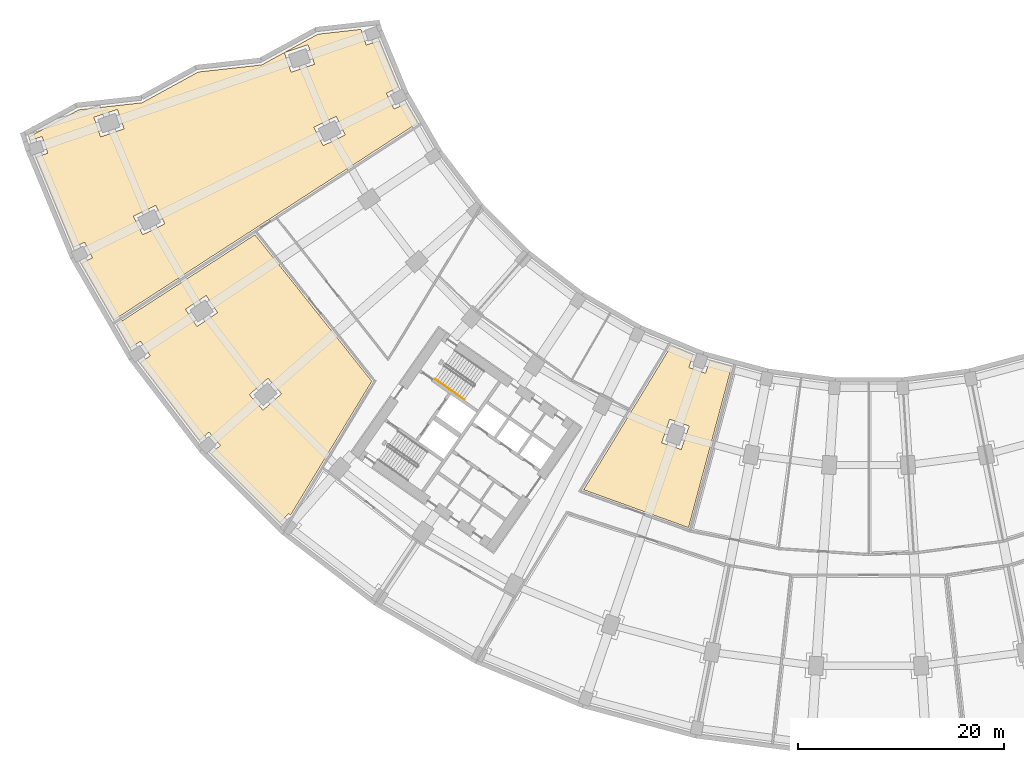
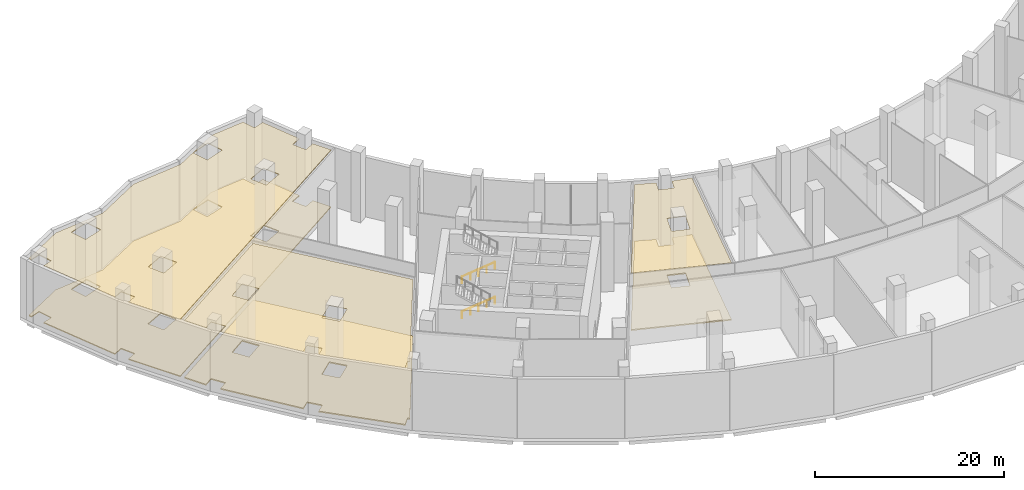
# One storey, part 15 of 19: 6 coverings, 2 railings.
"""IFC4 building model written with IfcOpenShell, lengths in metres."""

import ifcopenshell
import ifcopenshell.guid

model = None  # the IFC model being written
_history = None  # IfcOwnerHistory: only IFC2X3 demands one
_inside = {}  # id of a spatial element -> (the spatial element, [elements in it])
_under = {}  # id of a project, library or spatial element -> (it, [spatial elements below it])
_declared = {}  # id of a project -> (the project, [libraries it declares])
_typed = {}  # id of a type object -> (the type object, [elements of that type])
_made_of = {}  # id of a material, layer set ... -> (it, [elements and type objects made of it])


def new_model(schema):
    """Start an empty IFC model of exactly this schema.

    Asked for "IFC4X3", IfcOpenShell would pick the latest addendum, in which some entities
    have other attributes; the version numbers below select the first issue.
    IFC2X3 requires an IfcOwnerHistory on every rooted entity: one is made here for all.
    """
    global model, _history
    if schema == "IFC4X3":
        model = ifcopenshell.file(schema_version=(4, 3, 0, 0))
    else:
        model = ifcopenshell.file(schema=schema)
    _inside.clear()
    _under.clear()
    _declared.clear()
    _typed.clear()
    _made_of.clear()
    _history = None
    if model.schema == "IFC2X3":
        org = make("IfcOrganization", Name="unknown")
        user = make(
            "IfcPersonAndOrganization",
            ThePerson=make("IfcPerson", FamilyName="unknown"),
            TheOrganization=org,
        )
        app = make(
            "IfcApplication",
            ApplicationDeveloper=org,
            Version="unknown",
            ApplicationFullName="unknown",
            ApplicationIdentifier="unknown",
        )
        _history = make(
            "IfcOwnerHistory",
            OwningUser=user,
            OwningApplication=app,
            ChangeAction="ADDED",
            CreationDate=0,
        )
    return model


def make(cls, **values):
    """One entity of the class cls with the attributes given. An attribute that is None is left unset."""
    return model.create_entity(
        cls, **{name: value for name, value in values.items() if value is not None}
    )


def rooted(cls, **values):
    """An entity with a GlobalId (a new one), such as an element, a storey or a relation."""
    return make(cls, GlobalId=ifcopenshell.guid.new(), OwnerHistory=_history, **values)


def si_unit(unit_type, name, prefix=None):
    """IfcSIUnit, for example si_unit("LENGTHUNIT", "METRE", prefix="MILLI")."""
    return make("IfcSIUnit", UnitType=unit_type, Prefix=prefix, Name=name)


def assignment(units):
    """IfcUnitAssignment: the units of a project."""
    return None if units is None else make("IfcUnitAssignment", Units=units)


def point(xyz):
    """IfcCartesianPoint."""
    return None if xyz is None else make("IfcCartesianPoint", Coordinates=xyz)


def direction(xyz):
    """IfcDirection."""
    return None if xyz is None else make("IfcDirection", DirectionRatios=xyz)


def frame(location, z_axis=None, x_axis=None):
    """IfcAxis2Placement3D, a coordinate frame: its origin and axes. An axis left out is left unset."""
    return make(
        "IfcAxis2Placement3D",
        Location=point(location),
        Axis=direction(z_axis),
        RefDirection=direction(x_axis),
    )


def frame_2d(location, x_axis=None):
    """IfcAxis2Placement2D, a coordinate frame in the plane: its origin and x axis."""
    return make(
        "IfcAxis2Placement2D", Location=point(location), RefDirection=direction(x_axis)
    )


def origin():
    """The frame at (0, 0, 0) with its axes left unset."""
    return frame((0.0, 0.0, 0.0))


def origin_2d():
    """The frame at (0, 0) in the plane with its x axis left unset."""
    return frame_2d((0.0, 0.0))


def place(relative_to, where):
    """IfcLocalPlacement: puts the frame where relative to a parent placement (None: the world)."""
    return make(
        "IfcLocalPlacement", PlacementRelTo=relative_to, RelativePlacement=where
    )


def context(
    kind, dimensions, precision=None, world=None, true_north=None, identifier=None
):
    """IfcGeometricRepresentationContext, for example the 3D "Model" context."""
    return make(
        "IfcGeometricRepresentationContext",
        ContextIdentifier=identifier,
        ContextType=kind,
        CoordinateSpaceDimension=dimensions,
        Precision=precision,
        WorldCoordinateSystem=world,
        TrueNorth=true_north,
    )


def subcontext(parent, identifier, kind, view, scale=None):
    """IfcGeometricRepresentationSubContext, for example "Body" below "Model"."""
    return make(
        "IfcGeometricRepresentationSubContext",
        ContextIdentifier=identifier,
        ContextType=kind,
        ParentContext=parent,
        TargetScale=scale,
        TargetView=view,
    )


def project(units=None, contexts=None):
    """IfcProject with its units and contexts."""
    return rooted(
        "IfcProject",
        Name="project",
        RepresentationContexts=contexts,
        UnitsInContext=assignment(units),
    )


def spatial(cls, under=None, at=None, **own):
    """A site, building, storey or space (cls), placed at a placement, below another one or the project."""
    s = rooted(cls, ObjectPlacement=at, **own)
    if under is not None:
        _under.setdefault(under.id(), (under, []))[1].append(s)
    return s


def polyline(points):
    """IfcPolyline through the points."""
    return make("IfcPolyline", Points=[point(p) for p in points])


def profile(cls, at=None, kind="AREA", **sizes):
    """A parametric profile (cls). Its sizes go by their IFC names, for example OverallWidth=200.0."""
    return make(cls, ProfileType=kind, Position=at, **sizes)


def circle(**sizes):
    """IfcCircleProfileDef."""
    return profile("IfcCircleProfileDef", **sizes)


def outline(outer, holes=None, kind="AREA"):
    """IfcArbitraryClosedProfileDef: a profile drawn as a closed curve; with holes, ...WithVoids."""
    if holes is None:
        return make("IfcArbitraryClosedProfileDef", ProfileType=kind, OuterCurve=outer)
    return make(
        "IfcArbitraryProfileDefWithVoids",
        ProfileType=kind,
        OuterCurve=outer,
        InnerCurves=holes,
    )


def extrude(swept, where, along, depth):
    """IfcExtrudedAreaSolid: the profile swept, set in the frame where, extruded along a direction by depth."""
    return make(
        "IfcExtrudedAreaSolid",
        SweptArea=swept,
        Position=where,
        ExtrudedDirection=direction(along),
        Depth=depth,
    )


def shape(context_of_items, identifier, shape_type, items):
    """IfcShapeRepresentation: the items that make up one representation, for example the "Body"."""
    return make(
        "IfcShapeRepresentation",
        ContextOfItems=context_of_items,
        RepresentationIdentifier=identifier,
        RepresentationType=shape_type,
        Items=items,
    )


def material(Name=None, Category=None):
    """IfcMaterial."""
    return make("IfcMaterial", Name=Name, Category=Category)


def layer(
    of_material, thickness, ventilated=None, Name=None, Category=None, Priority=None
):
    """IfcMaterialLayer: one layer of a wall or slab, of a material (None: an air gap)."""
    return make(
        "IfcMaterialLayer",
        Material=of_material,
        LayerThickness=thickness,
        IsVentilated=ventilated,
        Name=Name,
        Category=Category,
        Priority=Priority,
    )


def layer_set(layers, Name=None):
    """IfcMaterialLayerSet."""
    return make("IfcMaterialLayerSet", MaterialLayers=layers, LayerSetName=Name)


def made_of(thing, what):
    """Note that an element or type object is made of a material, layer set ...; save() writes the relation."""
    if what is not None:
        _made_of.setdefault(what.id(), (what, []))[1].append(thing)
    return thing


def type_object(cls, material=None, **own):
    """A type object (cls), such as IfcWallType, which elements share."""
    return made_of(rooted(cls, **own), material)


def element(
    cls,
    number,
    at=None,
    inside=None,
    cuts=None,
    type_object=None,
    material=None,
    context=None,
    identifier="Body",
    shape_type=None,
    held_by="IfcProductDefinitionShape",
    body=None,
    shapes=None,
    **own,
):
    """One element of the class cls, such as IfcWall. Its Tag is "e" and its number.

    at: its placement. inside: the storey or other place that contains it. cuts: it is an
    opening in that element (IfcRelVoidsElement). A single representation is given by context,
    identifier, shape_type and body (its items); several are given by shapes. held_by: the class
    of the entity that holds the representations. save() writes the other relations.
    """
    e = rooted(cls, Tag="e%d" % number, ObjectPlacement=at, **own)
    if body is not None:
        shapes = [shape(context, identifier, shape_type, body)]
    if shapes is not None:
        e.Representation = make(held_by, Representations=shapes)
    if inside is not None:
        _inside.setdefault(inside.id(), (inside, []))[1].append(e)
    if cuts is not None:
        rooted(
            "IfcRelVoidsElement", RelatingBuildingElement=cuts, RelatedOpeningElement=e
        )
    if type_object is not None:
        _typed.setdefault(type_object.id(), (type_object, []))[1].append(e)
    return made_of(e, material)


def aggregate(whole, parts):
    """IfcRelAggregates: a whole, such as a stair, and the parts it consists of."""
    return rooted("IfcRelAggregates", RelatingObject=whole, RelatedObjects=parts)


def save(model, path):
    """Write the relations noted so far, then the file.

    IfcRelAggregates (storeys below a building ...), IfcRelContainedInSpatialStructure (elements
    in a storey), IfcRelDefinesByType, IfcRelAssociatesMaterial and IfcRelDeclares: one each for
    every whole, place, type object, material and project.
    """
    for whole, parts in _under.values():
        aggregate(whole, parts)
    for where, things in _inside.values():
        rooted(
            "IfcRelContainedInSpatialStructure",
            RelatedElements=things,
            RelatingStructure=where,
        )
    for kind, things in _typed.values():
        rooted("IfcRelDefinesByType", RelatedObjects=things, RelatingType=kind)
    for what, things in _made_of.values():
        rooted("IfcRelAssociatesMaterial", RelatedObjects=things, RelatingMaterial=what)
    for by, libraries in _declared.values():
        rooted("IfcRelDeclares", RelatingContext=by, RelatedDefinitions=libraries)
    model.write(path)


model = new_model("IFC4")

# Units and contexts
model_context = context("Model", 3, precision=1e-05, world=origin(), true_north=direction((0.0, 1.0)))
body_context = subcontext(model_context, "Body", "Model", "MODEL_VIEW")
ifc_project = project(units=[si_unit("LENGTHUNIT", "METRE"), si_unit("AREAUNIT", "SQUARE_METRE"), si_unit("VOLUMEUNIT", "CUBIC_METRE"), si_unit("PLANEANGLEUNIT", "RADIAN"), si_unit("MASSUNIT", "GRAM", prefix="KILO")], contexts=[model_context])

# Site, building, storey
site_placement = place(None, origin())
site = spatial("IfcSite", under=ifc_project, at=site_placement, CompositionType="ELEMENT")
building_placement = place(site_placement, origin())
building = spatial("IfcBuilding", under=site, at=building_placement, Name="Qamariyya Broadcast Tower", CompositionType="ELEMENT")
storey_placement = place(building_placement, frame((0.0, 0.0, 9.0)))
storey = spatial("IfcBuildingStorey", under=building, at=storey_placement, Name="L01", CompositionType="ELEMENT", Elevation=9.0)

# Coverings
ifc_material_1 = material(Name="Floating timber studio floor", Category="wood")
ifc_layer_1 = layer(ifc_material_1, 0.1201171875)
ifc_layer_set_1 = layer_set([ifc_layer_1], Name="Floating studio floor 120")
covering_type_1 = type_object("IfcCoveringType", Name="Floating studio floor 120", PredefinedType="FLOORING", material=ifc_layer_set_1)
covering_1_placement = place(storey_placement, origin())
element("IfcCovering", 1, at=covering_1_placement, inside=storey, type_object=covering_type_1, Name="Flooring L01-F11", PredefinedType="FLOORING", context=body_context, shape_type="SweptSolid", body=[
    extrude(outline(polyline([(-48.68310546875, -17.42333984375), (-47.447998046875, -17.004150390625), (-45.574462890625, -21.527099609375), (-46.744384765625, -22.10400390625), (-45.992431640625, -23.628662109375), (-44.82275390625, -23.0517578125), (-43.705810546875, -24.986328125), (-73.131591796875, -44.06298828125), (-76.30029296875, -38.574951171875), (-75.23046875, -38.04736328125), (-75.982421875, -36.522705078125), (-77.052001953125, -37.050048828125), (-80.682373046875, -28.28564453125), (-79.552978515625, -27.90234375), (-80.099365234375, -26.29248046875), (-81.274658203125, -26.69140625), (-81.388916015625, -26.34228515625), (-76.573486328125, -23.706787109375), (-70.420166015625, -23.019287109375), (-64.9716796875, -20.03759765625), (-58.81982421875, -19.3505859375), (-53.369140625, -16.368408203125), (-49.19921875, -15.90283203125), (-48.68310546875, -17.42333984375)]), holes=[polyline([(-53.761474609375, -25.397216796875), (-52.876708984375, -27.19091796875), (-50.724365234375, -26.12939453125), (-51.60888671875, -24.335693359375), (-53.761474609375, -25.397216796875)]), polyline([(-56.616455078125, -18.16259765625), (-55.9736328125, -20.056396484375), (-53.700927734375, -19.28515625), (-54.34375, -17.39111328125), (-56.616455078125, -18.16259765625)]), polyline([(-71.25048828125, -34.021728515625), (-70.36572265625, -35.815673828125), (-68.21337890625, -34.754150390625), (-69.097900390625, -32.960205078125), (-71.25048828125, -34.021728515625)]), polyline([(-72.808837890625, -23.6591796875), (-75.08154296875, -24.4306640625), (-74.438720703125, -26.324462890625), (-72.166015625, -25.55322265625), (-72.808837890625, -23.6591796875)])]), origin(), (0.0, 0.0, 1.0), 0.1201171875),
])
ifc_material_2 = material(Name="Raised access floor")
ifc_layer_2 = layer(ifc_material_2, 0.14990234375)
ifc_layer_set_2 = layer_set([ifc_layer_2], Name="Raised access floor 150")
covering_type_2 = type_object("IfcCoveringType", Name="Raised access floor 150", PredefinedType="FLOORING", material=ifc_layer_set_2)
covering_2_placement = place(storey_placement, origin())
element("IfcCovering", 2, at=covering_2_placement, inside=storey, type_object=covering_type_2, Name="Flooring L01-F05", PredefinedType="FLOORING", context=body_context, shape_type="SweptSolid", body=[
    extrude(outline(polyline([(-19.132080078125, -46.566650390625), (-17.004150390625, -47.447998046875), (-17.42333984375, -48.68310546875), (-15.8134765625, -49.2294921875), (-15.394287109375, -47.99462890625), (-13.271240234375, -48.5634765625), (-17.460205078125, -64.196044921875), (-27.6181640625, -60.521728515625), (-19.132080078125, -46.566650390625)]), holes=[polyline([(-20.056396484375, -55.9736328125), (-18.16259765625, -56.616455078125), (-17.39111328125, -54.34375), (-19.28515625, -53.700927734375), (-20.056396484375, -55.9736328125)])]), origin(), (0.0, 0.0, 1.0), 0.14990234375),
])
covering_3_placement = place(storey_placement, origin())
element("IfcCovering", 3, at=covering_3_placement, inside=storey, type_object=covering_type_2, Name="Flooring L01-F10", PredefinedType="FLOORING", context=body_context, shape_type="SweptSolid", body=[
    extrude(outline(polyline([(-56.031494140625, -62.986572265625), (-56.221923828125, -62.819580078125), (-57.00830078125, -63.716552734375), (-63.716552734375, -57.00830078125), (-62.819580078125, -56.221923828125), (-63.9404296875, -54.94384765625), (-64.83740234375, -55.730224609375), (-70.6123046875, -48.2041015625), (-69.62060546875, -47.541259765625), (-70.565185546875, -46.1279296875), (-71.556884765625, -46.79052734375), (-72.88134765625, -44.49658203125), (-59.47216796875, -35.803466796875), (-48.15087890625, -50.012939453125), (-56.031494140625, -62.986572265625)]), holes=[polyline([(-58.212646484375, -49.72119140625), (-60.01708984375, -51.303466796875), (-58.698486328125, -52.80712890625), (-56.89404296875, -51.224853515625), (-58.212646484375, -49.72119140625)]), polyline([(-66.2001953125, -43.03076171875), (-65.0888671875, -44.69384765625), (-63.093505859375, -43.3603515625), (-64.20458984375, -41.697509765625), (-66.2001953125, -43.03076171875)])]), origin(), (0.0, 0.0, 1.0), 0.14990234375),
])

# Railings
ifc_material_3 = material(Name="Stainless steel", Category="steel")
railing_type = type_object("IfcRailingType", Name="Stair handrail", PredefinedType="HANDRAIL", material=ifc_material_3)
for number, where, name in (
    (4, (-42.03564453125, -49.79443359375, 0.173095703125), "L01 ST-W2 stair handrail 1"),
    (5, (-42.03564453125, -49.79443359375, 4.673095703125), "L01 ST-W2 stair handrail 3"),
):
    element("IfcRailing", number, at=place(storey_placement, frame(where)), inside=storey, type_object=railing_type, Name=name, PredefinedType="HANDRAIL", context=body_context, shape_type="SweptSolid", body=[
        extrude(circle(Radius=0.02392578125, at=origin_2d()), frame((0.0, 0.0, 0.8759765625), z_axis=(0.703392637411, -0.492543525477, 0.512483827206), x_axis=(0.573594173421, 0.819139624372, 0.0)), (0.0, 0.0, 1.0), 4.052734375),
        extrude(circle(Radius=0.02099609375, at=origin_2d()), origin(), (0.0, 0.0, 1.0), 0.851806640625),
        extrude(circle(Radius=0.02099609375, at=origin_2d()), frame((0.712646484375, -0.4990234375, 0.519287109375)), (0.0, 0.0, 1.0), 0.851806640625),
        extrude(circle(Radius=0.02099609375, at=origin_2d()), frame((1.42529296875, -0.998046875, 1.03857421875)), (0.0, 0.0, 1.0), 0.851806640625),
        extrude(circle(Radius=0.02099609375, at=origin_2d()), frame((2.137939453125, -1.4970703125, 1.5576171875)), (0.0, 0.0, 1.0), 0.851806640625),
        extrude(circle(Radius=0.02099609375, at=origin_2d()), frame((2.8505859375, -1.99609375, 2.076904296875)), (0.0, 0.0, 1.0), 0.851806640625),
    ])

# Coverings
ifc_material_4 = material(Name="Acoustic mineral fibre ceiling")
ifc_layer_3 = layer(ifc_material_4, 0.10009765625)
ifc_layer_set_3 = layer_set([ifc_layer_3], Name="Studio acoustic ceiling 100")
covering_type_3 = type_object("IfcCoveringType", Name="Studio acoustic ceiling 100", PredefinedType="CEILING", material=ifc_layer_set_3)
covering_4_placement = place(storey_placement, frame((0.0, 0.0, 7.35009765625)))
element("IfcCovering", 6, at=covering_4_placement, inside=storey, type_object=covering_type_3, Name="Ceiling L01-C11", PredefinedType="CEILING", context=body_context, shape_type="SweptSolid", body=[
    extrude(outline(polyline([(-48.68310546875, -17.42333984375), (-47.447998046875, -17.004150390625), (-45.574462890625, -21.527099609375), (-46.744384765625, -22.10400390625), (-45.992431640625, -23.628662109375), (-44.82275390625, -23.0517578125), (-43.705810546875, -24.986328125), (-73.131591796875, -44.06298828125), (-76.30029296875, -38.574951171875), (-75.23046875, -38.04736328125), (-75.982421875, -36.522705078125), (-77.052001953125, -37.050048828125), (-80.682373046875, -28.28564453125), (-79.552978515625, -27.90234375), (-80.099365234375, -26.29248046875), (-81.274658203125, -26.69140625), (-81.388916015625, -26.34228515625), (-76.573486328125, -23.706787109375), (-70.420166015625, -23.019287109375), (-64.9716796875, -20.03759765625), (-58.81982421875, -19.3505859375), (-53.369140625, -16.368408203125), (-49.19921875, -15.90283203125), (-48.68310546875, -17.42333984375)]), holes=[polyline([(-53.761474609375, -25.397216796875), (-52.876708984375, -27.19091796875), (-50.724365234375, -26.12939453125), (-51.60888671875, -24.335693359375), (-53.761474609375, -25.397216796875)]), polyline([(-56.616455078125, -18.16259765625), (-55.9736328125, -20.056396484375), (-53.700927734375, -19.28515625), (-54.34375, -17.39111328125), (-56.616455078125, -18.16259765625)]), polyline([(-71.25048828125, -34.021728515625), (-70.36572265625, -35.815673828125), (-68.21337890625, -34.754150390625), (-69.097900390625, -32.960205078125), (-71.25048828125, -34.021728515625)]), polyline([(-72.808837890625, -23.6591796875), (-75.08154296875, -24.4306640625), (-74.438720703125, -26.324462890625), (-72.166015625, -25.55322265625), (-72.808837890625, -23.6591796875)])]), origin(), (0.0, 0.0, 1.0), 0.099853515625),
])
ifc_material_5 = material(Name="Perforated plasterboard ceiling")
ifc_layer_4 = layer(ifc_material_5, 0.06005859375)
ifc_layer_set_4 = layer_set([ifc_layer_4], Name="Suspended acoustic ceiling 60")
covering_type_4 = type_object("IfcCoveringType", Name="Suspended acoustic ceiling 60", PredefinedType="CEILING", material=ifc_layer_set_4)
covering_5_placement = place(storey_placement, frame((0.0, 0.0, 7.389892578125)))
element("IfcCovering", 7, at=covering_5_placement, inside=storey, type_object=covering_type_4, Name="Ceiling L01-C05", PredefinedType="CEILING", context=body_context, shape_type="SweptSolid", body=[
    extrude(outline(polyline([(-19.132080078125, -46.566650390625), (-17.004150390625, -47.447998046875), (-17.42333984375, -48.68310546875), (-15.8134765625, -49.2294921875), (-15.394287109375, -47.99462890625), (-13.271240234375, -48.5634765625), (-17.460205078125, -64.196044921875), (-27.6181640625, -60.521728515625), (-19.132080078125, -46.566650390625)]), holes=[polyline([(-20.056396484375, -55.9736328125), (-18.16259765625, -56.616455078125), (-17.39111328125, -54.34375), (-19.28515625, -53.700927734375), (-20.056396484375, -55.9736328125)])]), origin(), (0.0, 0.0, 1.0), 0.06005859375),
])
covering_6_placement = place(storey_placement, frame((0.0, 0.0, 7.389892578125)))
element("IfcCovering", 8, at=covering_6_placement, inside=storey, type_object=covering_type_4, Name="Ceiling L01-C10", PredefinedType="CEILING", context=body_context, shape_type="SweptSolid", body=[
    extrude(outline(polyline([(-56.031494140625, -62.986572265625), (-56.221923828125, -62.819580078125), (-57.00830078125, -63.716552734375), (-63.716552734375, -57.00830078125), (-62.819580078125, -56.221923828125), (-63.9404296875, -54.94384765625), (-64.83740234375, -55.730224609375), (-70.6123046875, -48.2041015625), (-69.62060546875, -47.541259765625), (-70.565185546875, -46.1279296875), (-71.556884765625, -46.79052734375), (-72.88134765625, -44.49658203125), (-59.47216796875, -35.803466796875), (-48.15087890625, -50.012939453125), (-56.031494140625, -62.986572265625)]), holes=[polyline([(-58.212646484375, -49.72119140625), (-60.01708984375, -51.303466796875), (-58.698486328125, -52.80712890625), (-56.89404296875, -51.224853515625), (-58.212646484375, -49.72119140625)]), polyline([(-66.2001953125, -43.03076171875), (-65.0888671875, -44.69384765625), (-63.093505859375, -43.3603515625), (-64.20458984375, -41.697509765625), (-66.2001953125, -43.03076171875)])]), origin(), (0.0, 0.0, 1.0), 0.06005859375),
])

save(model, "model.ifc")
